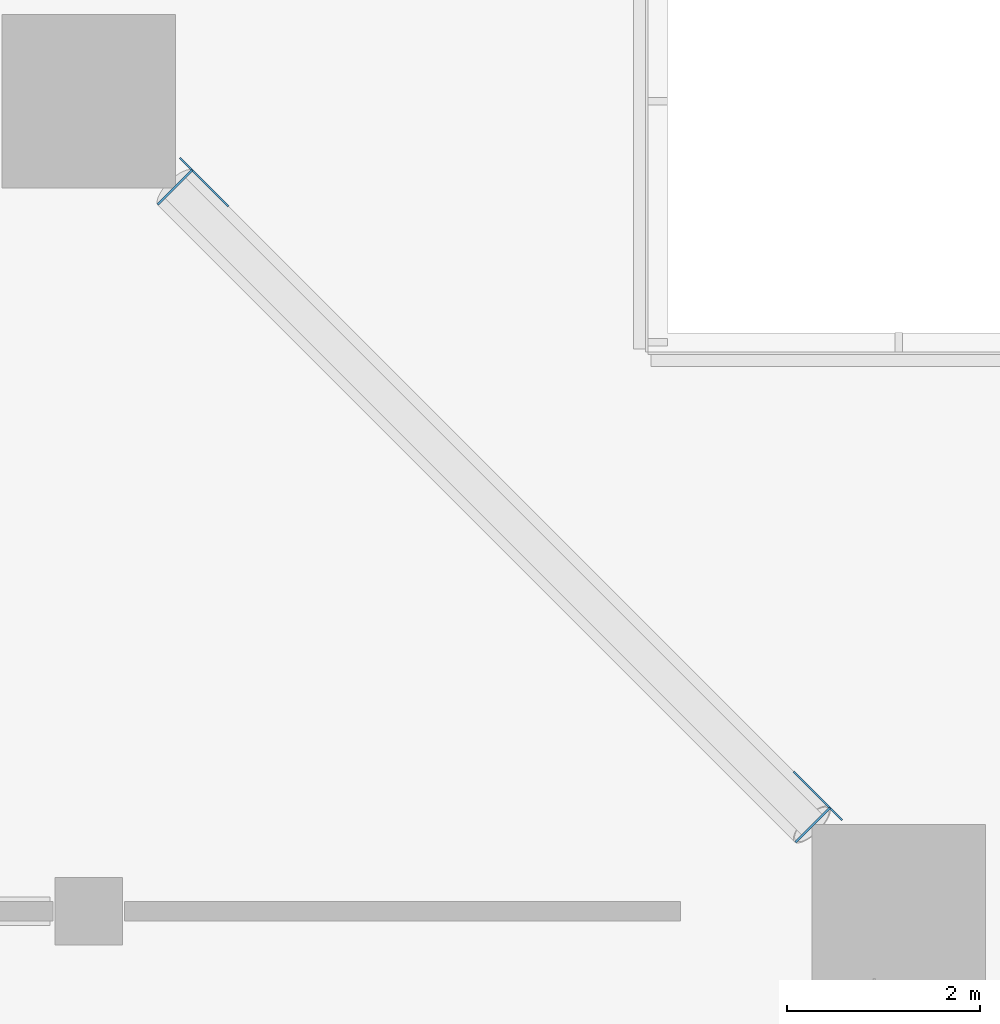
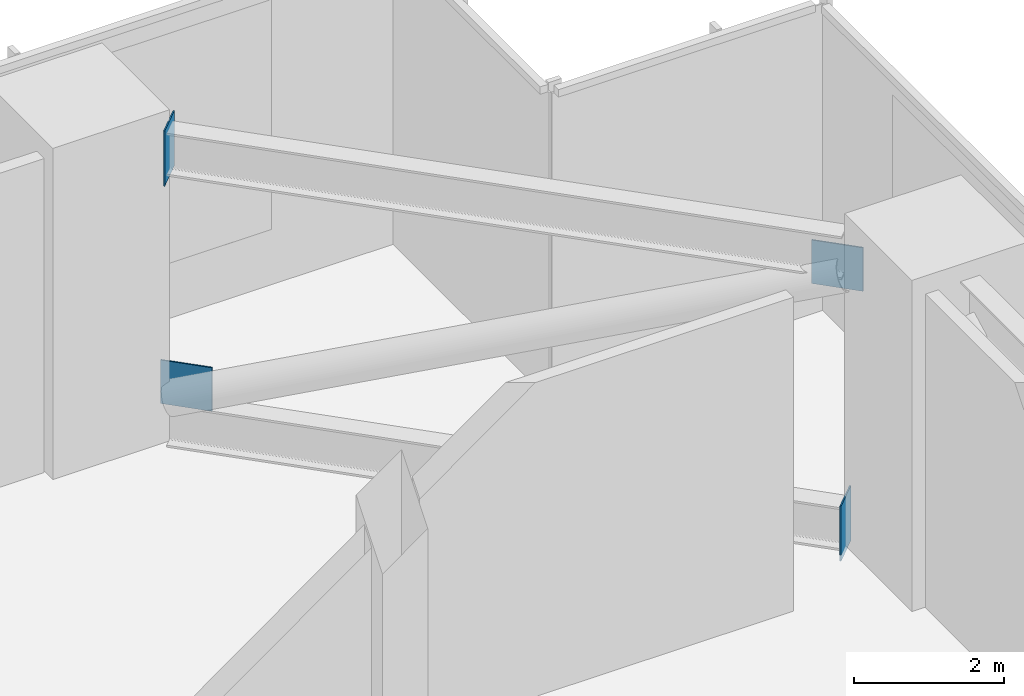
# One storey, part 23 of 29: 4 discrete accessories.
"""IFC4 building model written with IfcOpenShell, lengths in metres."""

from ifc_helpers import new_model, si_unit, direction, frame, origin, origin_2d, place, context, subcontext, project, spatial, rectangle, extrude, element, save


model = new_model("IFC4")

# Units and contexts
model_context = context("Model", 3, precision=1e-05, world=origin(), true_north=direction((0.0, 1.0)))
body_context = subcontext(model_context, "Body", "Model", "MODEL_VIEW")
ifc_project = project(units=[si_unit("LENGTHUNIT", "METRE"), si_unit("AREAUNIT", "SQUARE_METRE"), si_unit("VOLUMEUNIT", "CUBIC_METRE"), si_unit("PLANEANGLEUNIT", "RADIAN"), si_unit("MASSUNIT", "GRAM", prefix="KILO")], contexts=[model_context])

# Site, building, storey
site_placement = place(None, origin())
site = spatial("IfcSite", under=ifc_project, at=site_placement, CompositionType="ELEMENT")
building_placement = place(site_placement, origin())
building = spatial("IfcBuilding", under=site, at=building_placement, Name="Saffron Gate Tower", CompositionType="ELEMENT")
storey_placement = place(building_placement, frame((0.0, 0.0, 142.050048828125)))
storey = spatial("IfcBuildingStorey", under=building, at=storey_placement, Name="L34", CompositionType="ELEMENT", Elevation=142.050048828125)

# Discrete accessories
for number, where, z_axis, x_axis, name in (
    (1, (118.1962890625, 72.962890625, 0.410400390625), (0.0, 0.0, 1.0), (0.707106781187, -0.707106781187, 0.0), "GUSSET PLATE"),
    (2, (124.562744140625, 66.596435546875, 3.998779296875), (0.0, 0.0, 1.0), (0.707106781187, -0.707106781187, 0.0), "GUSSET PLATE"),
):
    element("IfcDiscreteAccessory", number, at=place(storey_placement, frame(where, z_axis=z_axis, x_axis=x_axis)), inside=storey, Name=name, ObjectType="GUSSET PLATE", PredefinedType="USERDEFINED", context=body_context, shape_type="SweptSolid", body=[
        extrude(rectangle(XDim=0.7109375, YDim=0.02001953125, at=origin_2d()), origin(), (0.0, 0.0, 1.0), 0.7109375),
    ])
for number, where, z_axis, x_axis, name in (
    (3, (117.892822265625, 72.906982421875, 4.320068359375), (0.0, 0.0, 1.0), (-0.707106781187, 0.707106781187, 0.0), "BELT TRUSS END PLATE"),
    (4, (124.507080078125, 66.29296875, -0.10009765625), (0.0, 0.0, 1.0), (0.707106781187, -0.707106781187, 0.0), "BELT TRUSS END PLATE"),
):
    element("IfcDiscreteAccessory", number, at=place(storey_placement, frame(where, z_axis=z_axis, x_axis=x_axis)), inside=storey, Name=name, ObjectType="BELT TRUSS END PLATE", PredefinedType="USERDEFINED", context=body_context, shape_type="SweptSolid", body=[
        extrude(rectangle(XDim=0.02001953125, YDim=0.5, at=origin_2d()), origin(), (0.0, 0.0, 1.0), 0.89990234375),
    ])

save(model, "model.ifc")
